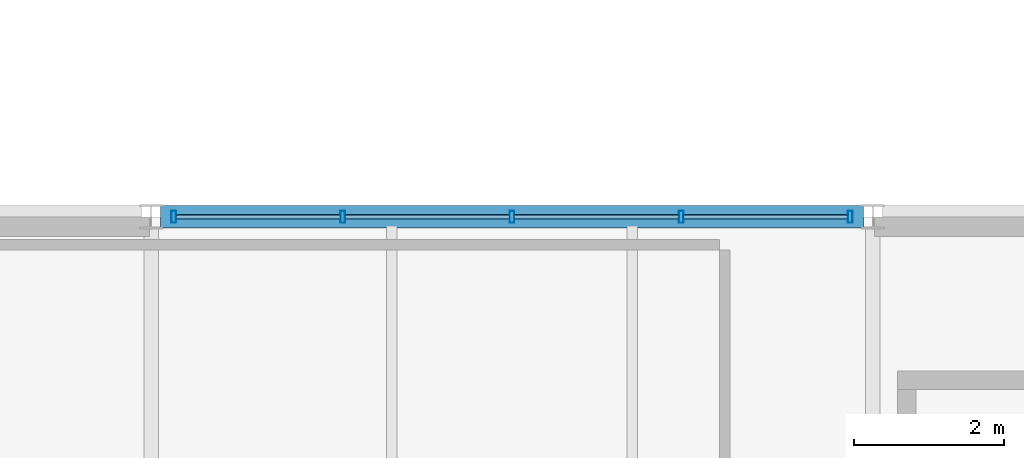
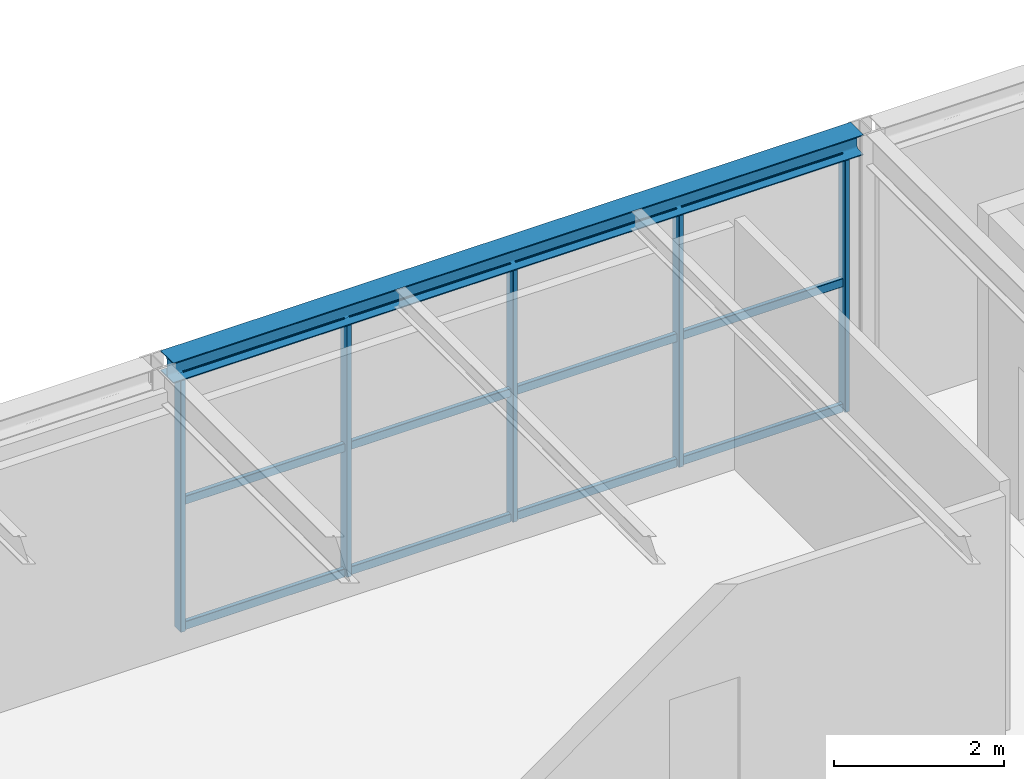
# One storey, part 25 of 50: 17 members, 1 beam, 1 element without a shape of its own.
"""IFC4 building model written with IfcOpenShell, lengths in metres."""

from ifc_helpers import new_model, si_unit, direction, frame, origin, origin_2d, place, context, subcontext, project, spatial, hollow_rectangle, i_section, extrude, material, material_profile, profile_set, type_object, element, aggregate, save


model = new_model("IFC4")

# Units and contexts
model_context = context("Model", 3, precision=1e-05, world=origin(), true_north=direction((0.0, 1.0)))
body_context = subcontext(model_context, "Body", "Model", "MODEL_VIEW")
ifc_project = project(units=[si_unit("LENGTHUNIT", "METRE"), si_unit("AREAUNIT", "SQUARE_METRE"), si_unit("VOLUMEUNIT", "CUBIC_METRE"), si_unit("PLANEANGLEUNIT", "RADIAN"), si_unit("MASSUNIT", "GRAM", prefix="KILO")], contexts=[model_context])

# Site, building, storey
site_placement = place(None, origin())
site = spatial("IfcSite", under=ifc_project, at=site_placement, CompositionType="ELEMENT")
building_placement = place(site_placement, origin())
building = spatial("IfcBuilding", under=site, at=building_placement, Name="Coralgate Yard Interchange", CompositionType="ELEMENT")
storey_placement = place(building_placement, frame((0.0, 0.0, 14.699951171875)))
storey = spatial("IfcBuildingStorey", under=building, at=storey_placement, Name="L03", CompositionType="ELEMENT", Elevation=14.699951171875)

# Beam
ifc_material_1 = material(Name="Structural steel S355J2", Category="steel")
ifc_material_profile_1 = material_profile(ifc_material_1, i_section(OverallWidth=0.300048828125, OverallDepth=0.2900390625, WebThickness=0.008544921875, FlangeThickness=0.013916015625, FilletRadius=0.027099609375, at=origin_2d()), Name="HEA 300")
ifc_profile_set_1 = profile_set([ifc_material_profile_1], Name="Structural steel S355J2")
beam_type = type_object("IfcBeamType", Name="BM-SP-2", PredefinedType="SPANDREL", material=ifc_profile_set_1)
beam_placement = place(storey_placement, frame((38.525634765625, 19.199951171875, 3.804931640625), z_axis=(1.0, 0.0, 0.0), x_axis=(0.0, 1.0, 0.0)))
element("IfcBeam", 1, at=beam_placement, inside=storey, type_object=beam_type, Name="L03 primary grid beam Y2 X4-5", PredefinedType="SPANDREL", context=body_context, shape_type="SweptSolid", body=[
    extrude(i_section(OverallWidth=0.300048828125, OverallDepth=0.2900390625, WebThickness=0.008544921875, FlangeThickness=0.013916015625, FilletRadius=0.027099609375, at=origin_2d()), origin(), (0.0, 0.0, 1.0), 9.348876953125),
])

# Curtain wall, members
ifc_material_2 = material(Name="Anodised coastal aluminium and solar-control low-E glass", Category="aluminium")
curtain_wall_type = type_object("IfcCurtainWallType", Name="CW-CW-L03-A", PredefinedType="NOTDEFINED", material=ifc_material_2)
curtain_wall_placement = place(storey_placement, origin())
curtain_wall = element("IfcCurtainWall", 2, at=curtain_wall_placement, inside=storey, type_object=curtain_wall_type, Name="L03 unitised curtain wall CW-L03-N-04-01", PredefinedType="NOTDEFINED")
ifc_material_3 = material(Name="Anodised coastal aluminium 6063-T6", Category="aluminium")
ifc_material_profile_2 = material_profile(ifc_material_3, hollow_rectangle(XDim=0.06494140625, YDim=0.159912109375, WallThickness=0.00390625, InnerFilletRadius=0.00390625, OuterFilletRadius=0.008056640625, at=origin_2d()), Name="ALU 65x160x4")
ifc_profile_set_2 = profile_set([ifc_material_profile_2], Name="Anodised coastal aluminium 6063-T6")
member_type_1 = type_object("IfcMemberType", Name="MB-MUL-160", PredefinedType="MULLION", material=ifc_profile_set_2)
member_1_placement = place(storey_placement, frame((38.699951171875, 19.199951171875, 0.0), z_axis=(0.0, 0.0, 1.0), x_axis=(1.0, 0.0, 0.0)))
member_1 = element("IfcMember", 3, at=member_1_placement, type_object=member_type_1, Name="CW-L03-N-04-01 vertical mullion 1", PredefinedType="MULLION", context=body_context, shape_type="SweptSolid", body=[
    extrude(hollow_rectangle(XDim=0.06494140625, YDim=0.159912109375, WallThickness=0.00390625, InnerFilletRadius=0.00390625, OuterFilletRadius=0.008056640625, at=origin_2d()), origin(), (0.0, 0.0, 1.0), 3.66015625),
])
member_2_placement = place(storey_placement, frame((40.949951171875, 19.199951171875, 0.0), z_axis=(0.0, 0.0, 1.0), x_axis=(1.0, 0.0, 0.0)))
member_2 = element("IfcMember", 4, at=member_2_placement, type_object=member_type_1, Name="CW-L03-N-04-01 vertical mullion 2", PredefinedType="MULLION", context=body_context, shape_type="SweptSolid", body=[
    extrude(hollow_rectangle(XDim=0.06494140625, YDim=0.159912109375, WallThickness=0.00390625, InnerFilletRadius=0.00390625, OuterFilletRadius=0.008056640625, at=origin_2d()), origin(), (0.0, 0.0, 1.0), 3.66015625),
])
member_3_placement = place(storey_placement, frame((43.199951171875, 19.199951171875, 0.0), z_axis=(0.0, 0.0, 1.0), x_axis=(1.0, 0.0, 0.0)))
member_3 = element("IfcMember", 5, at=member_3_placement, type_object=member_type_1, Name="CW-L03-N-04-01 vertical mullion 3", PredefinedType="MULLION", context=body_context, shape_type="SweptSolid", body=[
    extrude(hollow_rectangle(XDim=0.06494140625, YDim=0.159912109375, WallThickness=0.00390625, InnerFilletRadius=0.00390625, OuterFilletRadius=0.008056640625, at=origin_2d()), origin(), (0.0, 0.0, 1.0), 3.66015625),
])
member_4_placement = place(storey_placement, frame((45.449951171875, 19.199951171875, 0.0), z_axis=(0.0, 0.0, 1.0), x_axis=(1.0, 0.0, 0.0)))
member_4 = element("IfcMember", 6, at=member_4_placement, type_object=member_type_1, Name="CW-L03-N-04-01 vertical mullion 4", PredefinedType="MULLION", context=body_context, shape_type="SweptSolid", body=[
    extrude(hollow_rectangle(XDim=0.06494140625, YDim=0.159912109375, WallThickness=0.00390625, InnerFilletRadius=0.00390625, OuterFilletRadius=0.008056640625, at=origin_2d()), origin(), (0.0, 0.0, 1.0), 3.66015625),
])
member_5_placement = place(storey_placement, frame((47.699951171875, 19.199951171875, 0.0), z_axis=(0.0, 0.0, 1.0), x_axis=(1.0, 0.0, 0.0)))
member_5 = element("IfcMember", 7, at=member_5_placement, type_object=member_type_1, Name="CW-L03-N-04-01 vertical mullion 5", PredefinedType="MULLION", context=body_context, shape_type="SweptSolid", body=[
    extrude(hollow_rectangle(XDim=0.06494140625, YDim=0.159912109375, WallThickness=0.00390625, InnerFilletRadius=0.00390625, OuterFilletRadius=0.008056640625, at=origin_2d()), origin(), (0.0, 0.0, 1.0), 3.66015625),
])
ifc_material_profile_3 = material_profile(ifc_material_3, hollow_rectangle(XDim=0.06005859375, YDim=0.1201171875, WallThickness=0.00341796875, InnerFilletRadius=0.00341796875, OuterFilletRadius=0.007080078125, at=origin_2d()), Name="ALU 60x120x3.5")
ifc_profile_set_3 = profile_set([ifc_material_profile_3], Name="Anodised coastal aluminium 6063-T6")
member_type_2 = type_object("IfcMemberType", Name="MB-TRN-120", PredefinedType="USERDEFINED", material=ifc_profile_set_3)
member_6_placement = place(storey_placement, frame((38.72998046875, 19.199951171875, 0.03515625), z_axis=(1.0, 0.0, 0.0), x_axis=(0.0, 1.0, 0.0)))
member_6 = element("IfcMember", 8, at=member_6_placement, type_object=member_type_2, Name="CW-L03-N-04-01 horizontal transom 1-1", ObjectType="TRANSOM", PredefinedType="USERDEFINED", context=body_context, shape_type="SweptSolid", body=[
    extrude(hollow_rectangle(XDim=0.06005859375, YDim=0.1201171875, WallThickness=0.00341796875, InnerFilletRadius=0.00341796875, OuterFilletRadius=0.007080078125, at=origin_2d()), origin(), (0.0, 0.0, 1.0), 2.18994140625),
])
member_7_placement = place(storey_placement, frame((38.72998046875, 19.199951171875, 1.830078125), z_axis=(1.0, 0.0, 0.0), x_axis=(0.0, 1.0, 0.0)))
member_7 = element("IfcMember", 9, at=member_7_placement, type_object=member_type_2, Name="CW-L03-N-04-01 horizontal transom 1-2", ObjectType="TRANSOM", PredefinedType="USERDEFINED", context=body_context, shape_type="SweptSolid", body=[
    extrude(hollow_rectangle(XDim=0.06005859375, YDim=0.1201171875, WallThickness=0.00341796875, InnerFilletRadius=0.00341796875, OuterFilletRadius=0.007080078125, at=origin_2d()), origin(), (0.0, 0.0, 1.0), 2.18994140625),
])
member_8_placement = place(storey_placement, frame((38.72998046875, 19.199951171875, 3.625), z_axis=(1.0, 0.0, 0.0), x_axis=(0.0, 1.0, 0.0)))
member_8 = element("IfcMember", 10, at=member_8_placement, type_object=member_type_2, Name="CW-L03-N-04-01 horizontal transom 1-3", ObjectType="TRANSOM", PredefinedType="USERDEFINED", context=body_context, shape_type="SweptSolid", body=[
    extrude(hollow_rectangle(XDim=0.06005859375, YDim=0.1201171875, WallThickness=0.00341796875, InnerFilletRadius=0.00341796875, OuterFilletRadius=0.007080078125, at=origin_2d()), origin(), (0.0, 0.0, 1.0), 2.18994140625),
])
member_9_placement = place(storey_placement, frame((40.97998046875, 19.199951171875, 0.03515625), z_axis=(1.0, 0.0, 0.0), x_axis=(0.0, 1.0, 0.0)))
member_9 = element("IfcMember", 11, at=member_9_placement, type_object=member_type_2, Name="CW-L03-N-04-01 horizontal transom 2-1", ObjectType="TRANSOM", PredefinedType="USERDEFINED", context=body_context, shape_type="SweptSolid", body=[
    extrude(hollow_rectangle(XDim=0.06005859375, YDim=0.1201171875, WallThickness=0.00341796875, InnerFilletRadius=0.00341796875, OuterFilletRadius=0.007080078125, at=origin_2d()), origin(), (0.0, 0.0, 1.0), 2.18994140625),
])
member_10_placement = place(storey_placement, frame((40.97998046875, 19.199951171875, 1.830078125), z_axis=(1.0, 0.0, 0.0), x_axis=(0.0, 1.0, 0.0)))
member_10 = element("IfcMember", 12, at=member_10_placement, type_object=member_type_2, Name="CW-L03-N-04-01 horizontal transom 2-2", ObjectType="TRANSOM", PredefinedType="USERDEFINED", context=body_context, shape_type="SweptSolid", body=[
    extrude(hollow_rectangle(XDim=0.06005859375, YDim=0.1201171875, WallThickness=0.00341796875, InnerFilletRadius=0.00341796875, OuterFilletRadius=0.007080078125, at=origin_2d()), origin(), (0.0, 0.0, 1.0), 2.18994140625),
])
member_11_placement = place(storey_placement, frame((40.97998046875, 19.199951171875, 3.625), z_axis=(1.0, 0.0, 0.0), x_axis=(0.0, 1.0, 0.0)))
member_11 = element("IfcMember", 13, at=member_11_placement, type_object=member_type_2, Name="CW-L03-N-04-01 horizontal transom 2-3", ObjectType="TRANSOM", PredefinedType="USERDEFINED", context=body_context, shape_type="SweptSolid", body=[
    extrude(hollow_rectangle(XDim=0.06005859375, YDim=0.1201171875, WallThickness=0.00341796875, InnerFilletRadius=0.00341796875, OuterFilletRadius=0.007080078125, at=origin_2d()), origin(), (0.0, 0.0, 1.0), 2.18994140625),
])
member_12_placement = place(storey_placement, frame((43.22998046875, 19.199951171875, 0.03515625), z_axis=(1.0, 0.0, 0.0), x_axis=(0.0, 1.0, 0.0)))
member_12 = element("IfcMember", 14, at=member_12_placement, type_object=member_type_2, Name="CW-L03-N-04-01 horizontal transom 3-1", ObjectType="TRANSOM", PredefinedType="USERDEFINED", context=body_context, shape_type="SweptSolid", body=[
    extrude(hollow_rectangle(XDim=0.06005859375, YDim=0.1201171875, WallThickness=0.00341796875, InnerFilletRadius=0.00341796875, OuterFilletRadius=0.007080078125, at=origin_2d()), origin(), (0.0, 0.0, 1.0), 2.18994140625),
])
member_13_placement = place(storey_placement, frame((43.22998046875, 19.199951171875, 1.830078125), z_axis=(1.0, 0.0, 0.0), x_axis=(0.0, 1.0, 0.0)))
member_13 = element("IfcMember", 15, at=member_13_placement, type_object=member_type_2, Name="CW-L03-N-04-01 horizontal transom 3-2", ObjectType="TRANSOM", PredefinedType="USERDEFINED", context=body_context, shape_type="SweptSolid", body=[
    extrude(hollow_rectangle(XDim=0.06005859375, YDim=0.1201171875, WallThickness=0.00341796875, InnerFilletRadius=0.00341796875, OuterFilletRadius=0.007080078125, at=origin_2d()), origin(), (0.0, 0.0, 1.0), 2.18994140625),
])
member_14_placement = place(storey_placement, frame((43.22998046875, 19.199951171875, 3.625), z_axis=(1.0, 0.0, 0.0), x_axis=(0.0, 1.0, 0.0)))
member_14 = element("IfcMember", 16, at=member_14_placement, type_object=member_type_2, Name="CW-L03-N-04-01 horizontal transom 3-3", ObjectType="TRANSOM", PredefinedType="USERDEFINED", context=body_context, shape_type="SweptSolid", body=[
    extrude(hollow_rectangle(XDim=0.06005859375, YDim=0.1201171875, WallThickness=0.00341796875, InnerFilletRadius=0.00341796875, OuterFilletRadius=0.007080078125, at=origin_2d()), origin(), (0.0, 0.0, 1.0), 2.18994140625),
])
member_15_placement = place(storey_placement, frame((45.47998046875, 19.199951171875, 0.03515625), z_axis=(1.0, 0.0, 0.0), x_axis=(0.0, 1.0, 0.0)))
member_15 = element("IfcMember", 17, at=member_15_placement, type_object=member_type_2, Name="CW-L03-N-04-01 horizontal transom 4-1", ObjectType="TRANSOM", PredefinedType="USERDEFINED", context=body_context, shape_type="SweptSolid", body=[
    extrude(hollow_rectangle(XDim=0.06005859375, YDim=0.1201171875, WallThickness=0.00341796875, InnerFilletRadius=0.00341796875, OuterFilletRadius=0.007080078125, at=origin_2d()), origin(), (0.0, 0.0, 1.0), 2.18994140625),
])
member_16_placement = place(storey_placement, frame((45.47998046875, 19.199951171875, 1.830078125), z_axis=(1.0, 0.0, 0.0), x_axis=(0.0, 1.0, 0.0)))
member_16 = element("IfcMember", 18, at=member_16_placement, type_object=member_type_2, Name="CW-L03-N-04-01 horizontal transom 4-2", ObjectType="TRANSOM", PredefinedType="USERDEFINED", context=body_context, shape_type="SweptSolid", body=[
    extrude(hollow_rectangle(XDim=0.06005859375, YDim=0.1201171875, WallThickness=0.00341796875, InnerFilletRadius=0.00341796875, OuterFilletRadius=0.007080078125, at=origin_2d()), origin(), (0.0, 0.0, 1.0), 2.18994140625),
])
member_17_placement = place(storey_placement, frame((45.47998046875, 19.199951171875, 3.625), z_axis=(1.0, 0.0, 0.0), x_axis=(0.0, 1.0, 0.0)))
member_17 = element("IfcMember", 19, at=member_17_placement, type_object=member_type_2, Name="CW-L03-N-04-01 horizontal transom 4-3", ObjectType="TRANSOM", PredefinedType="USERDEFINED", context=body_context, shape_type="SweptSolid", body=[
    extrude(hollow_rectangle(XDim=0.06005859375, YDim=0.1201171875, WallThickness=0.00341796875, InnerFilletRadius=0.00341796875, OuterFilletRadius=0.007080078125, at=origin_2d()), origin(), (0.0, 0.0, 1.0), 2.18994140625),
])
aggregate(curtain_wall, [member_1, member_2, member_3, member_4, member_5, member_6, member_7, member_8, member_9, member_10, member_11, member_12, member_13, member_14, member_15, member_16, member_17])

save(model, "model.ifc")
